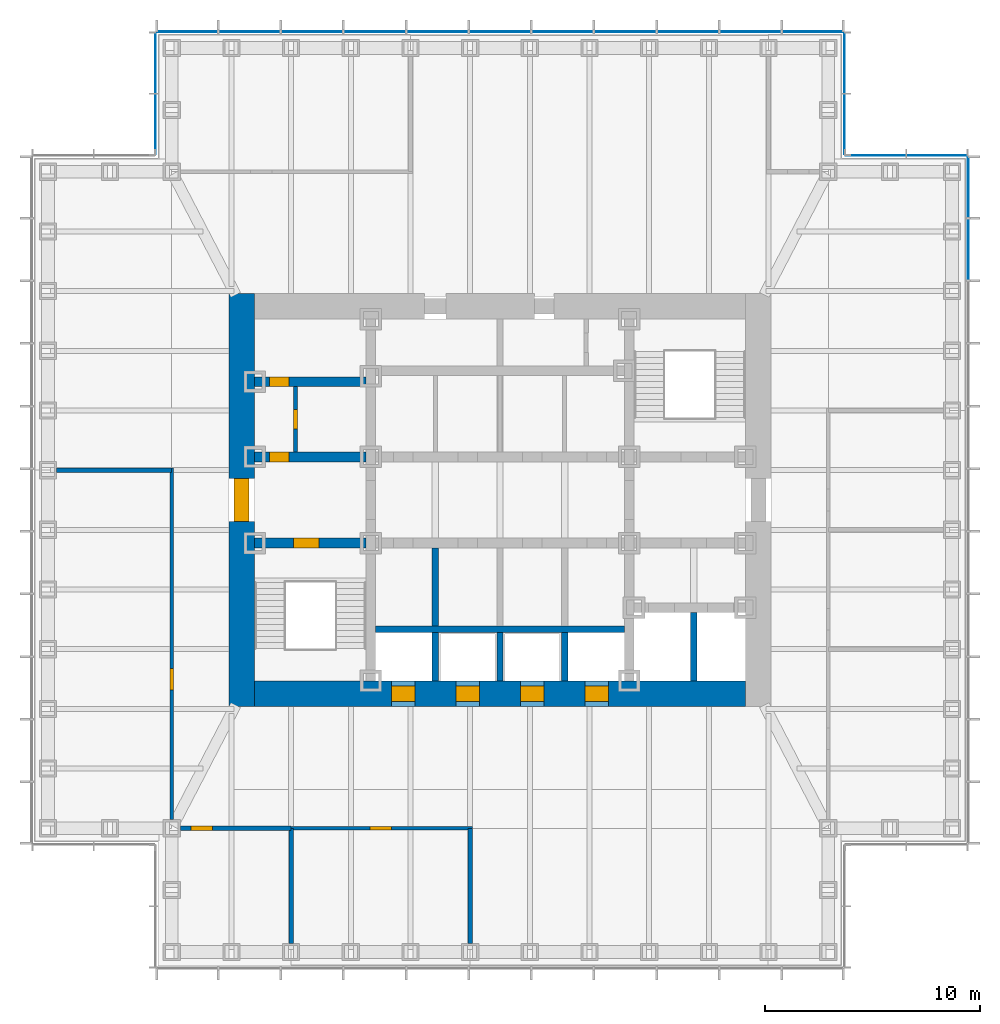
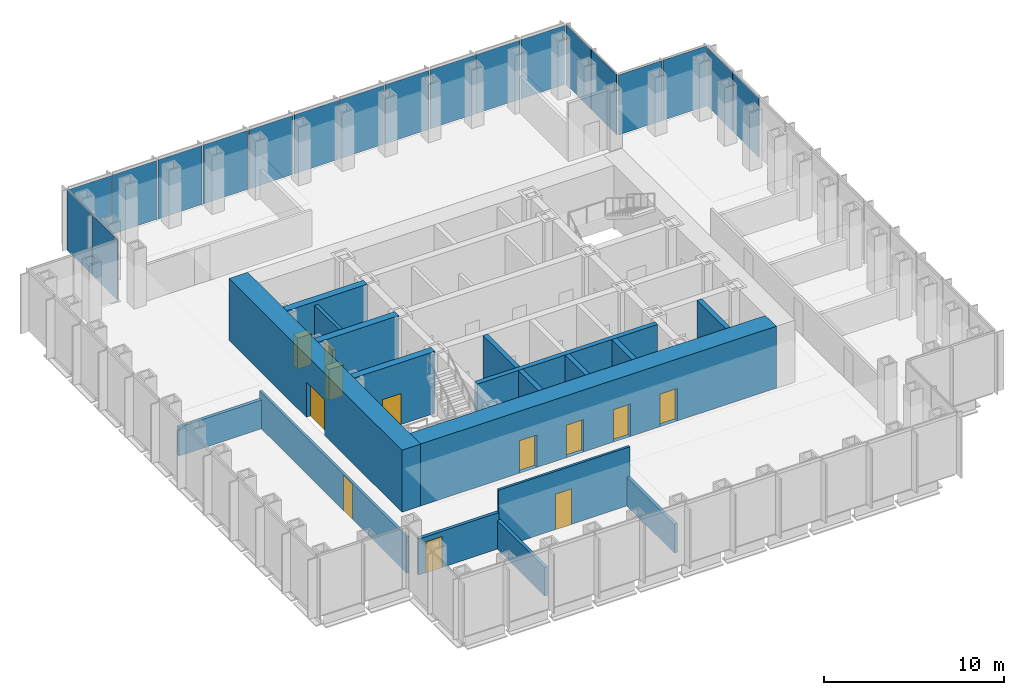
# One storey, part 8 of 16: 19 plates, 18 walls, 12 doors, 12 openings, 5 elements without a shape of their own.
"""IFC4 building model written with IfcOpenShell, lengths in metres."""

import ifcopenshell
import ifcopenshell.guid

model = None  # the IFC model being written
_history = None  # IfcOwnerHistory: only IFC2X3 demands one
_inside = {}  # id of a spatial element -> (the spatial element, [elements in it])
_under = {}  # id of a project, library or spatial element -> (it, [spatial elements below it])
_declared = {}  # id of a project -> (the project, [libraries it declares])
_typed = {}  # id of a type object -> (the type object, [elements of that type])
_made_of = {}  # id of a material, layer set ... -> (it, [elements and type objects made of it])


def new_model(schema):
    """Start an empty IFC model of exactly this schema.

    Asked for "IFC4X3", IfcOpenShell would pick the latest addendum, in which some entities
    have other attributes; the version numbers below select the first issue.
    IFC2X3 requires an IfcOwnerHistory on every rooted entity: one is made here for all.
    """
    global model, _history
    if schema == "IFC4X3":
        model = ifcopenshell.file(schema_version=(4, 3, 0, 0))
    else:
        model = ifcopenshell.file(schema=schema)
    _inside.clear()
    _under.clear()
    _declared.clear()
    _typed.clear()
    _made_of.clear()
    _history = None
    if model.schema == "IFC2X3":
        org = make("IfcOrganization", Name="unknown")
        user = make(
            "IfcPersonAndOrganization",
            ThePerson=make("IfcPerson", FamilyName="unknown"),
            TheOrganization=org,
        )
        app = make(
            "IfcApplication",
            ApplicationDeveloper=org,
            Version="unknown",
            ApplicationFullName="unknown",
            ApplicationIdentifier="unknown",
        )
        _history = make(
            "IfcOwnerHistory",
            OwningUser=user,
            OwningApplication=app,
            ChangeAction="ADDED",
            CreationDate=0,
        )
    return model


def make(cls, **values):
    """One entity of the class cls with the attributes given. An attribute that is None is left unset."""
    return model.create_entity(
        cls, **{name: value for name, value in values.items() if value is not None}
    )


def rooted(cls, **values):
    """An entity with a GlobalId (a new one), such as an element, a storey or a relation."""
    return make(cls, GlobalId=ifcopenshell.guid.new(), OwnerHistory=_history, **values)


def si_unit(unit_type, name, prefix=None):
    """IfcSIUnit, for example si_unit("LENGTHUNIT", "METRE", prefix="MILLI")."""
    return make("IfcSIUnit", UnitType=unit_type, Prefix=prefix, Name=name)


def assignment(units):
    """IfcUnitAssignment: the units of a project."""
    return None if units is None else make("IfcUnitAssignment", Units=units)


def point(xyz):
    """IfcCartesianPoint."""
    return None if xyz is None else make("IfcCartesianPoint", Coordinates=xyz)


def direction(xyz):
    """IfcDirection."""
    return None if xyz is None else make("IfcDirection", DirectionRatios=xyz)


def frame(location, z_axis=None, x_axis=None):
    """IfcAxis2Placement3D, a coordinate frame: its origin and axes. An axis left out is left unset."""
    return make(
        "IfcAxis2Placement3D",
        Location=point(location),
        Axis=direction(z_axis),
        RefDirection=direction(x_axis),
    )


def frame_2d(location, x_axis=None):
    """IfcAxis2Placement2D, a coordinate frame in the plane: its origin and x axis."""
    return make(
        "IfcAxis2Placement2D", Location=point(location), RefDirection=direction(x_axis)
    )


def origin():
    """The frame at (0, 0, 0) with its axes left unset."""
    return frame((0.0, 0.0, 0.0))


def origin_2d():
    """The frame at (0, 0) in the plane with its x axis left unset."""
    return frame_2d((0.0, 0.0))


def place(relative_to, where):
    """IfcLocalPlacement: puts the frame where relative to a parent placement (None: the world)."""
    return make(
        "IfcLocalPlacement", PlacementRelTo=relative_to, RelativePlacement=where
    )


def context(
    kind, dimensions, precision=None, world=None, true_north=None, identifier=None
):
    """IfcGeometricRepresentationContext, for example the 3D "Model" context."""
    return make(
        "IfcGeometricRepresentationContext",
        ContextIdentifier=identifier,
        ContextType=kind,
        CoordinateSpaceDimension=dimensions,
        Precision=precision,
        WorldCoordinateSystem=world,
        TrueNorth=true_north,
    )


def subcontext(parent, identifier, kind, view, scale=None):
    """IfcGeometricRepresentationSubContext, for example "Body" below "Model"."""
    return make(
        "IfcGeometricRepresentationSubContext",
        ContextIdentifier=identifier,
        ContextType=kind,
        ParentContext=parent,
        TargetScale=scale,
        TargetView=view,
    )


def project(units=None, contexts=None):
    """IfcProject with its units and contexts."""
    return rooted(
        "IfcProject",
        Name="project",
        RepresentationContexts=contexts,
        UnitsInContext=assignment(units),
    )


def spatial(cls, under=None, at=None, **own):
    """A site, building, storey or space (cls), placed at a placement, below another one or the project."""
    s = rooted(cls, ObjectPlacement=at, **own)
    if under is not None:
        _under.setdefault(under.id(), (under, []))[1].append(s)
    return s


def profile(cls, at=None, kind="AREA", **sizes):
    """A parametric profile (cls). Its sizes go by their IFC names, for example OverallWidth=200.0."""
    return make(cls, ProfileType=kind, Position=at, **sizes)


def rectangle(**sizes):
    """IfcRectangleProfileDef."""
    return profile("IfcRectangleProfileDef", **sizes)


def extrude(swept, where, along, depth):
    """IfcExtrudedAreaSolid: the profile swept, set in the frame where, extruded along a direction by depth."""
    return make(
        "IfcExtrudedAreaSolid",
        SweptArea=swept,
        Position=where,
        ExtrudedDirection=direction(along),
        Depth=depth,
    )


def shape(context_of_items, identifier, shape_type, items):
    """IfcShapeRepresentation: the items that make up one representation, for example the "Body"."""
    return make(
        "IfcShapeRepresentation",
        ContextOfItems=context_of_items,
        RepresentationIdentifier=identifier,
        RepresentationType=shape_type,
        Items=items,
    )


def material(Name=None, Category=None):
    """IfcMaterial."""
    return make("IfcMaterial", Name=Name, Category=Category)


def layer(
    of_material, thickness, ventilated=None, Name=None, Category=None, Priority=None
):
    """IfcMaterialLayer: one layer of a wall or slab, of a material (None: an air gap)."""
    return make(
        "IfcMaterialLayer",
        Material=of_material,
        LayerThickness=thickness,
        IsVentilated=ventilated,
        Name=Name,
        Category=Category,
        Priority=Priority,
    )


def layer_set(layers, Name=None):
    """IfcMaterialLayerSet."""
    return make("IfcMaterialLayerSet", MaterialLayers=layers, LayerSetName=Name)


def made_of(thing, what):
    """Note that an element or type object is made of a material, layer set ...; save() writes the relation."""
    if what is not None:
        _made_of.setdefault(what.id(), (what, []))[1].append(thing)
    return thing


def type_object(cls, material=None, **own):
    """A type object (cls), such as IfcWallType, which elements share."""
    return made_of(rooted(cls, **own), material)


def element(
    cls,
    number,
    at=None,
    inside=None,
    cuts=None,
    type_object=None,
    material=None,
    context=None,
    identifier="Body",
    shape_type=None,
    held_by="IfcProductDefinitionShape",
    body=None,
    shapes=None,
    **own,
):
    """One element of the class cls, such as IfcWall. Its Tag is "e" and its number.

    at: its placement. inside: the storey or other place that contains it. cuts: it is an
    opening in that element (IfcRelVoidsElement). A single representation is given by context,
    identifier, shape_type and body (its items); several are given by shapes. held_by: the class
    of the entity that holds the representations. save() writes the other relations.
    """
    e = rooted(cls, Tag="e%d" % number, ObjectPlacement=at, **own)
    if body is not None:
        shapes = [shape(context, identifier, shape_type, body)]
    if shapes is not None:
        e.Representation = make(held_by, Representations=shapes)
    if inside is not None:
        _inside.setdefault(inside.id(), (inside, []))[1].append(e)
    if cuts is not None:
        rooted(
            "IfcRelVoidsElement", RelatingBuildingElement=cuts, RelatedOpeningElement=e
        )
    if type_object is not None:
        _typed.setdefault(type_object.id(), (type_object, []))[1].append(e)
    return made_of(e, material)


def fill(opening, filler):
    """IfcRelFillsElement: the door or window that sits in an opening."""
    return rooted(
        "IfcRelFillsElement",
        RelatingOpeningElement=opening,
        RelatedBuildingElement=filler,
    )


def aggregate(whole, parts):
    """IfcRelAggregates: a whole, such as a stair, and the parts it consists of."""
    return rooted("IfcRelAggregates", RelatingObject=whole, RelatedObjects=parts)


def save(model, path):
    """Write the relations noted so far, then the file.

    IfcRelAggregates (storeys below a building ...), IfcRelContainedInSpatialStructure (elements
    in a storey), IfcRelDefinesByType, IfcRelAssociatesMaterial and IfcRelDeclares: one each for
    every whole, place, type object, material and project.
    """
    for whole, parts in _under.values():
        aggregate(whole, parts)
    for where, things in _inside.values():
        rooted(
            "IfcRelContainedInSpatialStructure",
            RelatedElements=things,
            RelatingStructure=where,
        )
    for kind, things in _typed.values():
        rooted("IfcRelDefinesByType", RelatedObjects=things, RelatingType=kind)
    for what, things in _made_of.values():
        rooted("IfcRelAssociatesMaterial", RelatedObjects=things, RelatingMaterial=what)
    for by, libraries in _declared.values():
        rooted("IfcRelDeclares", RelatingContext=by, RelatedDefinitions=libraries)
    model.write(path)


model = new_model("IFC4")

# Units and contexts
model_context = context("Model", 3, precision=1e-05, world=origin(), true_north=direction((0.0, 1.0)))
body_context = subcontext(model_context, "Body", "Model", "MODEL_VIEW")
ifc_project = project(units=[si_unit("LENGTHUNIT", "METRE"), si_unit("AREAUNIT", "SQUARE_METRE"), si_unit("VOLUMEUNIT", "CUBIC_METRE"), si_unit("PLANEANGLEUNIT", "RADIAN"), si_unit("MASSUNIT", "GRAM", prefix="KILO")], contexts=[model_context])

# Site, building, storey
site_placement = place(None, origin())
site = spatial("IfcSite", under=ifc_project, at=site_placement, CompositionType="ELEMENT")
building_placement = place(site_placement, origin())
building = spatial("IfcBuilding", under=site, at=building_placement, Name="Daluyong Arena Tower", CompositionType="ELEMENT")
storey_placement = place(building_placement, frame((0.0, 0.0, 275.5)))
storey = spatial("IfcBuildingStorey", under=building, at=storey_placement, Name="L62", CompositionType="ELEMENT", Elevation=275.5)

# Curtain wall, plates
ifc_material_1 = material(Name="Bronze anodised aluminium and glass", Category="aluminium")
curtain_wall_type_1 = type_object("IfcCurtainWallType", Name="Curtain wall CW4", PredefinedType="USERDEFINED", material=ifc_material_1)
curtain_wall_1_placement = place(storey_placement, origin())
curtain_wall_1 = element("IfcCurtainWall", 1, at=curtain_wall_1_placement, inside=storey, type_object=curtain_wall_type_1, Name="curtain wall L62 E", ObjectType="UNITISED CURTAIN WALL", PredefinedType="USERDEFINED")
ifc_material_2 = material(Name="Tinted laminated double glazed unit", Category="glass")
ifc_layer_1 = layer(ifc_material_2, 0.035888671875)
ifc_layer_set_1 = layer_set([ifc_layer_1], Name="Tinted laminated double glazed unit")
plate_type_1 = type_object("IfcPlateType", Name="CW4 panel 36", PredefinedType="CURTAIN_PANEL", material=ifc_layer_set_1)
plate_1_placement = place(storey_placement, frame((77.75, 91.636474609375, 0.0), z_axis=(0.0, 0.0, 1.0), x_axis=(0.0, 1.0, 0.0)))
plate_1 = element("IfcPlate", 2, at=plate_1_placement, type_object=plate_type_1, Name="curtain wall L62 E panel 10", PredefinedType="CURTAIN_PANEL", context=body_context, shape_type="SweptSolid", body=[
    extrude(rectangle(XDim=2.819091796875, YDim=0.035888671875, at=origin_2d()), origin(), (0.0, 0.0, 1.0), 4.0),
])
plate_2_placement = place(storey_placement, frame((77.75, 94.52294921875, 0.0), z_axis=(0.0, 0.0, 1.0), x_axis=(0.0, 1.0, 0.0)))
plate_2 = element("IfcPlate", 3, at=plate_2_placement, type_object=plate_type_1, Name="curtain wall L62 E panel 11", PredefinedType="CURTAIN_PANEL", context=body_context, shape_type="SweptSolid", body=[
    extrude(rectangle(XDim=2.774169921875, YDim=0.035888671875, at=origin_2d()), origin(), (0.0, 0.0, 1.0), 4.0),
])
aggregate(curtain_wall_1, [plate_1, plate_2])

curtain_wall_2_placement = place(storey_placement, origin())
curtain_wall_2 = element("IfcCurtainWall", 4, at=curtain_wall_2_placement, inside=storey, type_object=curtain_wall_type_1, Name="curtain wall L62 N", ObjectType="UNITISED CURTAIN WALL", PredefinedType="USERDEFINED")
plate_3_placement = place(storey_placement, frame((70.52294921875, 101.75, 0.0), z_axis=(0.0, 0.0, 1.0), x_axis=(-1.0, 0.0, 0.0)))
plate_3 = element("IfcPlate", 5, at=plate_3_placement, type_object=plate_type_1, Name="curtain wall L62 N panel 1", PredefinedType="CURTAIN_PANEL", context=body_context, shape_type="SweptSolid", body=[
    extrude(rectangle(XDim=2.774169921875, YDim=0.035888671875, at=origin_2d()), origin(), (0.0, 0.0, 1.0), 4.0),
])
plate_4_placement = place(storey_placement, frame((67.636474609375, 101.75, 0.0), z_axis=(0.0, 0.0, 1.0), x_axis=(-1.0, 0.0, 0.0)))
plate_4 = element("IfcPlate", 6, at=plate_4_placement, type_object=plate_type_1, Name="curtain wall L62 N panel 2", PredefinedType="CURTAIN_PANEL", context=body_context, shape_type="SweptSolid", body=[
    extrude(rectangle(XDim=2.819091796875, YDim=0.035888671875, at=origin_2d()), origin(), (0.0, 0.0, 1.0), 4.0),
])
plate_5_placement = place(storey_placement, frame((64.727294921875, 101.75, 0.0), z_axis=(0.0, 0.0, 1.0), x_axis=(-1.0, 0.0, 0.0)))
plate_5 = element("IfcPlate", 7, at=plate_5_placement, type_object=plate_type_1, Name="curtain wall L62 N panel 3", PredefinedType="CURTAIN_PANEL", context=body_context, shape_type="SweptSolid", body=[
    extrude(rectangle(XDim=2.819091796875, YDim=0.035888671875, at=origin_2d()), origin(), (0.0, 0.0, 1.0), 4.0),
])
plate_6_placement = place(storey_placement, frame((61.818115234375, 101.75, 0.0), z_axis=(0.0, 0.0, 1.0), x_axis=(-1.0, 0.0, 0.0)))
plate_6 = element("IfcPlate", 8, at=plate_6_placement, type_object=plate_type_1, Name="curtain wall L62 N panel 4", PredefinedType="CURTAIN_PANEL", context=body_context, shape_type="SweptSolid", body=[
    extrude(rectangle(XDim=2.819091796875, YDim=0.035888671875, at=origin_2d()), origin(), (0.0, 0.0, 1.0), 4.0),
])
plate_7_placement = place(storey_placement, frame((58.9091796875, 101.75, 0.0), z_axis=(0.0, 0.0, 1.0), x_axis=(-1.0, 0.0, 0.0)))
plate_7 = element("IfcPlate", 9, at=plate_7_placement, type_object=plate_type_1, Name="curtain wall L62 N panel 5", PredefinedType="CURTAIN_PANEL", context=body_context, shape_type="SweptSolid", body=[
    extrude(rectangle(XDim=2.819091796875, YDim=0.035888671875, at=origin_2d()), origin(), (0.0, 0.0, 1.0), 4.0),
])
plate_8_placement = place(storey_placement, frame((56.0, 101.75, 0.0), z_axis=(0.0, 0.0, 1.0), x_axis=(-1.0, 0.0, 0.0)))
plate_8 = element("IfcPlate", 10, at=plate_8_placement, type_object=plate_type_1, Name="curtain wall L62 N panel 6", PredefinedType="CURTAIN_PANEL", context=body_context, shape_type="SweptSolid", body=[
    extrude(rectangle(XDim=2.819091796875, YDim=0.035888671875, at=origin_2d()), origin(), (0.0, 0.0, 1.0), 4.0),
])
plate_9_placement = place(storey_placement, frame((53.0908203125, 101.75, 0.0), z_axis=(0.0, 0.0, 1.0), x_axis=(-1.0, 0.0, 0.0)))
plate_9 = element("IfcPlate", 11, at=plate_9_placement, type_object=plate_type_1, Name="curtain wall L62 N panel 7", PredefinedType="CURTAIN_PANEL", context=body_context, shape_type="SweptSolid", body=[
    extrude(rectangle(XDim=2.819091796875, YDim=0.035888671875, at=origin_2d()), origin(), (0.0, 0.0, 1.0), 4.0),
])
plate_10_placement = place(storey_placement, frame((50.181884765625, 101.75, 0.0), z_axis=(0.0, 0.0, 1.0), x_axis=(-1.0, 0.0, 0.0)))
plate_10 = element("IfcPlate", 12, at=plate_10_placement, type_object=plate_type_1, Name="curtain wall L62 N panel 8", PredefinedType="CURTAIN_PANEL", context=body_context, shape_type="SweptSolid", body=[
    extrude(rectangle(XDim=2.819091796875, YDim=0.035888671875, at=origin_2d()), origin(), (0.0, 0.0, 1.0), 4.0),
])
plate_11_placement = place(storey_placement, frame((47.272705078125, 101.75, 0.0), z_axis=(0.0, 0.0, 1.0), x_axis=(-1.0, 0.0, 0.0)))
plate_11 = element("IfcPlate", 13, at=plate_11_placement, type_object=plate_type_1, Name="curtain wall L62 N panel 9", PredefinedType="CURTAIN_PANEL", context=body_context, shape_type="SweptSolid", body=[
    extrude(rectangle(XDim=2.819091796875, YDim=0.035888671875, at=origin_2d()), origin(), (0.0, 0.0, 1.0), 4.0),
])
plate_12_placement = place(storey_placement, frame((44.363525390625, 101.75, 0.0), z_axis=(0.0, 0.0, 1.0), x_axis=(-1.0, 0.0, 0.0)))
plate_12 = element("IfcPlate", 14, at=plate_12_placement, type_object=plate_type_1, Name="curtain wall L62 N panel 10", PredefinedType="CURTAIN_PANEL", context=body_context, shape_type="SweptSolid", body=[
    extrude(rectangle(XDim=2.819091796875, YDim=0.035888671875, at=origin_2d()), origin(), (0.0, 0.0, 1.0), 4.0),
])
plate_13_placement = place(storey_placement, frame((41.47705078125, 101.75, 0.0), z_axis=(0.0, 0.0, 1.0), x_axis=(-1.0, 0.0, 0.0)))
plate_13 = element("IfcPlate", 15, at=plate_13_placement, type_object=plate_type_1, Name="curtain wall L62 N panel 11", PredefinedType="CURTAIN_PANEL", context=body_context, shape_type="SweptSolid", body=[
    extrude(rectangle(XDim=2.774169921875, YDim=0.035888671875, at=origin_2d()), origin(), (0.0, 0.0, 1.0), 4.0),
])
aggregate(curtain_wall_2, [plate_3, plate_4, plate_5, plate_6, plate_7, plate_8, plate_9, plate_10, plate_11, plate_12, plate_13])

ifc_material_3 = material(Name="Bronze anodised aluminium and glass", Category="aluminium")
curtain_wall_type_2 = type_object("IfcCurtainWallType", Name="Curtain wall CW7", PredefinedType="USERDEFINED", material=ifc_material_3)
curtain_wall_3_placement = place(storey_placement, origin())
curtain_wall_3 = element("IfcCurtainWall", 16, at=curtain_wall_3_placement, inside=storey, type_object=curtain_wall_type_2, Name="curtain wall L62 NE-N", ObjectType="UNITISED CURTAIN WALL", PredefinedType="USERDEFINED")
ifc_material_4 = material(Name="Tinted double glazed unit", Category="glass")
ifc_layer_2 = layer(ifc_material_4, 0.028076171875)
ifc_layer_set_2 = layer_set([ifc_layer_2], Name="Tinted double glazed unit")
plate_type_2 = type_object("IfcPlateType", Name="CW7 panel 28", PredefinedType="CURTAIN_PANEL", material=ifc_layer_set_2)
plate_14_placement = place(storey_placement, frame((76.297607421875, 96.0, 0.0), z_axis=(0.0, 0.0, 1.0), x_axis=(-1.0, 0.0, 0.0)))
plate_14 = element("IfcPlate", 17, at=plate_14_placement, type_object=plate_type_2, Name="curtain wall L62 NE-N panel 1", PredefinedType="CURTAIN_PANEL", context=body_context, shape_type="SweptSolid", body=[
    extrude(rectangle(XDim=2.784912109375, YDim=0.028076171875, at=origin_2d()), origin(), (0.0, 0.0, 1.0), 4.080078125),
])
plate_15_placement = place(storey_placement, frame((73.452392578125, 96.0, 0.0), z_axis=(0.0, 0.0, 1.0), x_axis=(-1.0, 0.0, 0.0)))
plate_15 = element("IfcPlate", 18, at=plate_15_placement, type_object=plate_type_2, Name="curtain wall L62 NE-N panel 2", PredefinedType="CURTAIN_PANEL", context=body_context, shape_type="SweptSolid", body=[
    extrude(rectangle(XDim=2.784912109375, YDim=0.028076171875, at=origin_2d()), origin(), (0.0, 0.0, 1.0), 4.080078125),
])
aggregate(curtain_wall_3, [plate_14, plate_15])

curtain_wall_4_placement = place(storey_placement, origin())
curtain_wall_4 = element("IfcCurtainWall", 19, at=curtain_wall_4_placement, inside=storey, type_object=curtain_wall_type_2, Name="curtain wall L62 NE-E", ObjectType="UNITISED CURTAIN WALL", PredefinedType="USERDEFINED")
plate_16_placement = place(storey_placement, frame((72.0, 97.452392578125, 0.0), z_axis=(0.0, 0.0, 1.0), x_axis=(0.0, 1.0, 0.0)))
plate_16 = element("IfcPlate", 20, at=plate_16_placement, type_object=plate_type_2, Name="curtain wall L62 NE-E panel 1", PredefinedType="CURTAIN_PANEL", context=body_context, shape_type="SweptSolid", body=[
    extrude(rectangle(XDim=2.784912109375, YDim=0.028076171875, at=origin_2d()), origin(), (0.0, 0.0, 1.0), 4.080078125),
])
plate_17_placement = place(storey_placement, frame((72.0, 100.297607421875, 0.0), z_axis=(0.0, 0.0, 1.0), x_axis=(0.0, 1.0, 0.0)))
plate_17 = element("IfcPlate", 21, at=plate_17_placement, type_object=plate_type_2, Name="curtain wall L62 NE-E panel 2", PredefinedType="CURTAIN_PANEL", context=body_context, shape_type="SweptSolid", body=[
    extrude(rectangle(XDim=2.784912109375, YDim=0.028076171875, at=origin_2d()), origin(), (0.0, 0.0, 1.0), 4.080078125),
])
aggregate(curtain_wall_4, [plate_16, plate_17])

curtain_wall_5_placement = place(storey_placement, origin())
curtain_wall_5 = element("IfcCurtainWall", 22, at=curtain_wall_5_placement, inside=storey, type_object=curtain_wall_type_2, Name="curtain wall L62 NW-W", ObjectType="UNITISED CURTAIN WALL", PredefinedType="USERDEFINED")
plate_18_placement = place(storey_placement, frame((40.0, 100.297607421875, 0.0), z_axis=(0.0, 0.0, 1.0), x_axis=(0.0, -1.0, 0.0)))
plate_18 = element("IfcPlate", 23, at=plate_18_placement, type_object=plate_type_2, Name="curtain wall L62 NW-W panel 1", PredefinedType="CURTAIN_PANEL", context=body_context, shape_type="SweptSolid", body=[
    extrude(rectangle(XDim=2.784912109375, YDim=0.028076171875, at=origin_2d()), origin(), (0.0, 0.0, 1.0), 4.080078125),
])
plate_19_placement = place(storey_placement, frame((40.0, 97.452392578125, 0.0), z_axis=(0.0, 0.0, 1.0), x_axis=(0.0, -1.0, 0.0)))
plate_19 = element("IfcPlate", 24, at=plate_19_placement, type_object=plate_type_2, Name="curtain wall L62 NW-W panel 2", PredefinedType="CURTAIN_PANEL", context=body_context, shape_type="SweptSolid", body=[
    extrude(rectangle(XDim=2.784912109375, YDim=0.028076171875, at=origin_2d()), origin(), (0.0, 0.0, 1.0), 4.080078125),
])
aggregate(curtain_wall_5, [plate_18, plate_19])

# Wall, opening, door
ifc_material_5 = material(Name="Concrete fc' 45 MPa", Category="concrete")
ifc_layer_3 = layer(ifc_material_5, 0.449951171875)
ifc_layer_set_3 = layer_set([ifc_layer_3], Name="Concrete fc' 45 MPa")
wall_type_1 = type_object("IfcWallType", Name="Core inner wall 450", PredefinedType="SHEAR", material=ifc_layer_set_3)
wall_1_placement = place(storey_placement, frame((44.60009765625, 78.0, 0.0), z_axis=(0.0, 0.0, 1.0), x_axis=(1.0, 0.0, 0.0)))
wall_1 = element("IfcWall", 25, at=wall_1_placement, inside=storey, type_object=wall_type_1, Name="core inner wall at L62", PredefinedType="SHEAR", context=body_context, shape_type="SweptSolid", body=[
    extrude(rectangle(XDim=5.1748046875, YDim=0.449951171875, at=frame_2d((2.58740234375, 0.0))), origin(), (0.0, 0.0, 1.0), 4.199951171875),
])
opening_1_placement = place(wall_1_placement, frame((1.800048828125, 0.0, 0.0)))
opening_1 = element("IfcOpeningElement", 26, at=opening_1_placement, cuts=wall_1, Name="Opening 62015", PredefinedType="OPENING", context=body_context, shape_type="SweptSolid", body=[
    extrude(rectangle(XDim=1.199951171875, YDim=2.10009765625, at=frame_2d((0.60009765625, 1.050048828125))), frame((0.0, 0.23486328125, 0.0), z_axis=(0.0, -1.0, 0.0), x_axis=(1.0, 0.0, 0.0)), (0.0, 0.0, 1.0), 0.469970703125),
])
ifc_material_6 = material(Name="Steel door, fire rated", Category="steel")
door_type_1 = type_object("IfcDoorType", Name="Stair door 1200", OperationType="SINGLE_SWING_LEFT", PredefinedType="DOOR", material=ifc_material_6)
door_1_placement = place(opening_1_placement, origin())
door_1 = element("IfcDoor", 27, at=door_1_placement, inside=storey, type_object=door_type_1, Name="stair A door 62015", OperationType="SINGLE_SWING_LEFT", OverallHeight=2.10009765625, OverallWidth=1.199951171875, PredefinedType="DOOR", context=body_context, shape_type="SweptSolid", body=[
    extrude(rectangle(XDim=1.199951171875, YDim=2.10009765625, at=frame_2d((0.60009765625, 1.050048828125))), frame((0.0, 0.224609375, 0.0), z_axis=(0.0, -1.0, 0.0), x_axis=(1.0, 0.0, 0.0)), (0.0, 0.0, 1.0), 0.449462890625),
])
fill(opening_1, door_1)

wall_2_placement = place(storey_placement, frame((44.60009765625, 82.0, 0.0), z_axis=(0.0, 0.0, 1.0), x_axis=(1.0, 0.0, 0.0)))
wall_2 = element("IfcWall", 28, at=wall_2_placement, inside=storey, type_object=wall_type_1, Name="core inner wall at L62", PredefinedType="SHEAR", context=body_context, shape_type="SweptSolid", body=[
    extrude(rectangle(XDim=5.1748046875, YDim=0.449951171875, at=frame_2d((2.58740234375, 0.0))), origin(), (0.0, 0.0, 1.0), 4.199951171875),
])
opening_2_placement = place(wall_2_placement, frame((0.699951171875, 0.0, 0.0)))
opening_2 = element("IfcOpeningElement", 29, at=opening_2_placement, cuts=wall_2, Name="Opening 62001", PredefinedType="OPENING", context=body_context, shape_type="SweptSolid", body=[
    extrude(rectangle(XDim=0.89990234375, YDim=2.10009765625, at=frame_2d((0.449951171875, 1.050048828125))), frame((0.0, 0.23486328125, 0.0), z_axis=(0.0, -1.0, 0.0), x_axis=(1.0, 0.0, 0.0)), (0.0, 0.0, 1.0), 0.469970703125),
])
ifc_material_7 = material(Name="Steel door, fire rated", Category="steel")
door_type_2 = type_object("IfcDoorType", Name="Core room door 900", OperationType="SINGLE_SWING_LEFT", PredefinedType="DOOR", material=ifc_material_7)
door_2_placement = place(opening_2_placement, origin())
door_2 = element("IfcDoor", 30, at=door_2_placement, inside=storey, type_object=door_type_2, Name="toilet lobby door 62001", OperationType="SINGLE_SWING_LEFT", OverallHeight=2.10009765625, OverallWidth=0.89990234375, PredefinedType="DOOR", context=body_context, shape_type="SweptSolid", body=[
    extrude(rectangle(XDim=0.89990234375, YDim=2.10009765625, at=frame_2d((0.449951171875, 1.050048828125))), frame((0.0, 0.224609375, 0.0), z_axis=(0.0, -1.0, 0.0), x_axis=(1.0, 0.0, 0.0)), (0.0, 0.0, 1.0), 0.449462890625),
])
fill(opening_2, door_2)

wall_3_placement = place(storey_placement, frame((44.60009765625, 85.5, 0.0), z_axis=(0.0, 0.0, 1.0), x_axis=(1.0, 0.0, 0.0)))
wall_3 = element("IfcWall", 31, at=wall_3_placement, inside=storey, type_object=wall_type_1, Name="core inner wall at L62", PredefinedType="SHEAR", context=body_context, shape_type="SweptSolid", body=[
    extrude(rectangle(XDim=5.1748046875, YDim=0.449951171875, at=frame_2d((2.58740234375, 0.0))), origin(), (0.0, 0.0, 1.0), 4.199951171875),
])
opening_3_placement = place(wall_3_placement, frame((0.699951171875, 0.0, 0.0)))
opening_3 = element("IfcOpeningElement", 32, at=opening_3_placement, cuts=wall_3, Name="Opening 62003", PredefinedType="OPENING", context=body_context, shape_type="SweptSolid", body=[
    extrude(rectangle(XDim=0.89990234375, YDim=2.10009765625, at=frame_2d((0.449951171875, 1.050048828125))), frame((0.0, 0.23486328125, 0.0), z_axis=(0.0, -1.0, 0.0), x_axis=(1.0, 0.0, 0.0)), (0.0, 0.0, 1.0), 0.469970703125),
])
ifc_material_8 = material(Name="Timber door", Category="wood")
door_type_3 = type_object("IfcDoorType", Name="Toilet door 900", OperationType="SINGLE_SWING_RIGHT", PredefinedType="DOOR", material=ifc_material_8)
door_3_placement = place(opening_3_placement, origin())
door_3 = element("IfcDoor", 33, at=door_3_placement, inside=storey, type_object=door_type_3, Name="female toilet door 62003", OperationType="SINGLE_SWING_RIGHT", OverallHeight=2.10009765625, OverallWidth=0.89990234375, PredefinedType="DOOR", context=body_context, shape_type="SweptSolid", body=[
    extrude(rectangle(XDim=0.89990234375, YDim=2.10009765625, at=frame_2d((0.449951171875, 1.050048828125))), frame((0.0, 0.224609375, 0.0), z_axis=(0.0, -1.0, 0.0), x_axis=(1.0, 0.0, 0.0)), (0.0, 0.0, 1.0), 0.449462890625),
])
fill(opening_3, door_3)

ifc_material_9 = material(Name="Concrete fc' 60 MPa", Category="concrete")
ifc_layer_4 = layer(ifc_material_9, 1.199951171875)
ifc_layer_set_4 = layer_set([ifc_layer_4], Name="Concrete fc' 60 MPa")
wall_type_2 = type_object("IfcWallType", Name="Core wall 1200", PredefinedType="SHEAR", material=ifc_layer_set_4)
wall_4_placement = place(storey_placement, frame((44.0, 70.39990234375, 0.0), z_axis=(0.0, 0.0, 1.0), x_axis=(0.0, 1.0, 0.0)))
wall_4 = element("IfcWall", 34, at=wall_4_placement, inside=storey, type_object=wall_type_2, Name="core wall at L62", PredefinedType="SHEAR", context=body_context, shape_type="SweptSolid", body=[
    extrude(rectangle(XDim=19.2001953125, YDim=1.199951171875, at=frame_2d((9.60009765625, 0.0))), origin(), (0.0, 0.0, 1.0), 4.199951171875),
])
opening_4_placement = place(wall_4_placement, frame((8.60009765625, 0.0, 0.0)))
opening_4 = element("IfcOpeningElement", 35, at=opening_4_placement, cuts=wall_4, Name="Opening 62017", PredefinedType="OPENING", context=body_context, shape_type="SweptSolid", body=[
    extrude(rectangle(XDim=2.0, YDim=2.39990234375, at=frame_2d((1.0, 1.199951171875))), frame((0.0, 0.60986328125, 0.0), z_axis=(0.0, -1.0, 0.0), x_axis=(1.0, 0.0, 0.0)), (0.0, 0.0, 1.0), 1.219970703125),
])
ifc_material_10 = material(Name="Steel door, fire rated", Category="steel")
door_type_4 = type_object("IfcDoorType", Name="Core lobby double door 2000", OperationType="DOUBLE_DOOR_SINGLE_SWING", PredefinedType="DOOR", material=ifc_material_10)
door_4_placement = place(opening_4_placement, origin())
door_4 = element("IfcDoor", 36, at=door_4_placement, inside=storey, type_object=door_type_4, Name="core lobby door west 62017", OperationType="DOUBLE_DOOR_SINGLE_SWING", OverallHeight=2.39990234375, OverallWidth=2.0, PredefinedType="DOOR", context=body_context, shape_type="SweptSolid", body=[
    extrude(rectangle(XDim=2.0, YDim=2.39990234375, at=frame_2d((1.0, 1.199951171875))), frame((0.0, 0.35009765625, 0.0), z_axis=(0.0, -1.0, 0.0), x_axis=(1.0, 0.0, 0.0)), (0.0, 0.0, 1.0), 0.699951171875),
])
fill(opening_4, door_4)

# Wall, openings, doors
wall_5_placement = place(storey_placement, frame((44.60009765625, 71.0, 0.0), z_axis=(0.0, 0.0, 1.0), x_axis=(1.0, 0.0, 0.0)))
wall_5 = element("IfcWall", 37, at=wall_5_placement, inside=storey, type_object=wall_type_2, Name="core wall at L62", PredefinedType="SHEAR", context=body_context, shape_type="SweptSolid", body=[
    extrude(rectangle(XDim=22.7998046875, YDim=1.199951171875, at=frame_2d((11.39990234375, 0.0))), origin(), (0.0, 0.0, 1.0), 4.199951171875),
])
opening_5_placement = place(wall_5_placement, frame((6.35009765625, 0.0, 0.0)))
opening_5 = element("IfcOpeningElement", 38, at=opening_5_placement, cuts=wall_5, Name="Opening 62022", PredefinedType="OPENING", context=body_context, shape_type="SweptSolid", body=[
    extrude(rectangle(XDim=1.10009765625, YDim=2.199951171875, at=frame_2d((0.550048828125, 1.10009765625))), frame((0.0, 0.60986328125, 0.0), z_axis=(0.0, -1.0, 0.0), x_axis=(1.0, 0.0, 0.0)), (0.0, 0.0, 1.0), 1.219970703125),
])
opening_6_placement = place(wall_5_placement, frame((9.35009765625, 0.0, 0.0)))
opening_6 = element("IfcOpeningElement", 39, at=opening_6_placement, cuts=wall_5, Name="Opening 62023", PredefinedType="OPENING", context=body_context, shape_type="SweptSolid", body=[
    extrude(rectangle(XDim=1.10009765625, YDim=2.199951171875, at=frame_2d((0.550048828125, 1.10009765625))), frame((0.0, 0.60986328125, 0.0), z_axis=(0.0, -1.0, 0.0), x_axis=(1.0, 0.0, 0.0)), (0.0, 0.0, 1.0), 1.219970703125),
])
opening_7_placement = place(wall_5_placement, frame((12.35009765625, 0.0, 0.0)))
opening_7 = element("IfcOpeningElement", 40, at=opening_7_placement, cuts=wall_5, Name="Opening 62024", PredefinedType="OPENING", context=body_context, shape_type="SweptSolid", body=[
    extrude(rectangle(XDim=1.10009765625, YDim=2.199951171875, at=frame_2d((0.550048828125, 1.10009765625))), frame((0.0, 0.60986328125, 0.0), z_axis=(0.0, -1.0, 0.0), x_axis=(1.0, 0.0, 0.0)), (0.0, 0.0, 1.0), 1.219970703125),
])
opening_8_placement = place(wall_5_placement, frame((15.35009765625, 0.0, 0.0)))
opening_8 = element("IfcOpeningElement", 41, at=opening_8_placement, cuts=wall_5, Name="Opening 62025", PredefinedType="OPENING", context=body_context, shape_type="SweptSolid", body=[
    extrude(rectangle(XDim=1.10009765625, YDim=2.199951171875, at=frame_2d((0.550048828125, 1.10009765625))), frame((0.0, 0.60986328125, 0.0), z_axis=(0.0, -1.0, 0.0), x_axis=(1.0, 0.0, 0.0)), (0.0, 0.0, 1.0), 1.219970703125),
])
ifc_material_11 = material(Name="Steel door, fire rated", Category="steel")
door_type_5 = type_object("IfcDoorType", Name="Lift landing door 1100", OperationType="SLIDING_TO_LEFT", PredefinedType="DOOR", material=ifc_material_11)
door_5_placement = place(opening_5_placement, origin())
door_5 = element("IfcDoor", 42, at=door_5_placement, inside=storey, type_object=door_type_5, Name="lift landing door C1 62022", OperationType="SLIDING_TO_LEFT", OverallHeight=2.199951171875, OverallWidth=1.10009765625, PredefinedType="DOOR", context=body_context, shape_type="SweptSolid", body=[
    extrude(rectangle(XDim=1.10009765625, YDim=2.199951171875, at=frame_2d((0.550048828125, 1.10009765625))), frame((0.0, 0.35009765625, 0.0), z_axis=(0.0, -1.0, 0.0), x_axis=(1.0, 0.0, 0.0)), (0.0, 0.0, 1.0), 0.699951171875),
])
fill(opening_5, door_5)
door_6_placement = place(opening_6_placement, origin())
door_6 = element("IfcDoor", 43, at=door_6_placement, inside=storey, type_object=door_type_5, Name="lift landing door C2 62023", OperationType="SLIDING_TO_LEFT", OverallHeight=2.199951171875, OverallWidth=1.10009765625, PredefinedType="DOOR", context=body_context, shape_type="SweptSolid", body=[
    extrude(rectangle(XDim=1.10009765625, YDim=2.199951171875, at=frame_2d((0.550048828125, 1.10009765625))), frame((0.0, 0.35009765625, 0.0), z_axis=(0.0, -1.0, 0.0), x_axis=(1.0, 0.0, 0.0)), (0.0, 0.0, 1.0), 0.699951171875),
])
fill(opening_6, door_6)
door_7_placement = place(opening_7_placement, origin())
door_7 = element("IfcDoor", 44, at=door_7_placement, inside=storey, type_object=door_type_5, Name="lift landing door C3 62024", OperationType="SLIDING_TO_LEFT", OverallHeight=2.199951171875, OverallWidth=1.10009765625, PredefinedType="DOOR", context=body_context, shape_type="SweptSolid", body=[
    extrude(rectangle(XDim=1.10009765625, YDim=2.199951171875, at=frame_2d((0.550048828125, 1.10009765625))), frame((0.0, 0.35009765625, 0.0), z_axis=(0.0, -1.0, 0.0), x_axis=(1.0, 0.0, 0.0)), (0.0, 0.0, 1.0), 0.699951171875),
])
fill(opening_7, door_7)
door_8_placement = place(opening_8_placement, origin())
door_8 = element("IfcDoor", 45, at=door_8_placement, inside=storey, type_object=door_type_5, Name="lift landing door C4 62025", OperationType="SLIDING_TO_LEFT", OverallHeight=2.199951171875, OverallWidth=1.10009765625, PredefinedType="DOOR", context=body_context, shape_type="SweptSolid", body=[
    extrude(rectangle(XDim=1.10009765625, YDim=2.199951171875, at=frame_2d((0.550048828125, 1.10009765625))), frame((0.0, 0.35009765625, 0.0), z_axis=(0.0, -1.0, 0.0), x_axis=(1.0, 0.0, 0.0)), (0.0, 0.0, 1.0), 0.699951171875),
])
fill(opening_8, door_8)

# Wall, opening, door
ifc_material_12 = material(Name="Concrete block partition, fire rated", Category="concrete")
ifc_layer_5 = layer(ifc_material_12, 0.199951171875)
ifc_layer_set_5 = layer_set([ifc_layer_5], Name="Concrete block partition, fire rated")
wall_type_3 = type_object("IfcWallType", Name="Fire-rated partition 200", PredefinedType="PARTITIONING", material=ifc_layer_set_5)
wall_6_placement = place(storey_placement, frame((46.5, 82.22509765625, 0.0), z_axis=(0.0, 0.0, 1.0), x_axis=(0.0, 1.0, 0.0)))
wall_6 = element("IfcWall", 46, at=wall_6_placement, inside=storey, type_object=wall_type_3, Name="toilet lobby partition at L62", PredefinedType="PARTITIONING", context=body_context, shape_type="SweptSolid", body=[
    extrude(rectangle(XDim=3.0498046875, YDim=0.199951171875, at=frame_2d((1.52490234375, 0.0))), origin(), (0.0, 0.0, 1.0), 3.949951171875),
])
opening_9_placement = place(wall_6_placement, frame((1.074951171875, 0.0, 0.0)))
opening_9 = element("IfcOpeningElement", 47, at=opening_9_placement, cuts=wall_6, Name="Opening 62002", PredefinedType="OPENING", context=body_context, shape_type="SweptSolid", body=[
    extrude(rectangle(XDim=0.89990234375, YDim=2.10009765625, at=frame_2d((0.449951171875, 1.050048828125))), frame((0.0, 0.10986328125, 0.0), z_axis=(0.0, -1.0, 0.0), x_axis=(1.0, 0.0, 0.0)), (0.0, 0.0, 1.0), 0.219970703125),
])
door_9_placement = place(opening_9_placement, origin())
door_9 = element("IfcDoor", 48, at=door_9_placement, inside=storey, type_object=door_type_3, Name="male toilet door 62002", OperationType="SINGLE_SWING_RIGHT", OverallHeight=2.10009765625, OverallWidth=0.89990234375, PredefinedType="DOOR", context=body_context, shape_type="SweptSolid", body=[
    extrude(rectangle(XDim=0.89990234375, YDim=2.10009765625, at=frame_2d((0.449951171875, 1.050048828125))), frame((0.0, 0.099609375, 0.0), z_axis=(0.0, -1.0, 0.0), x_axis=(1.0, 0.0, 0.0)), (0.0, 0.0, 1.0), 0.199462890625),
])
fill(opening_9, door_9)

ifc_material_13 = material(Name="Glazed aluminium partition", Category="aluminium")
ifc_layer_6 = layer(ifc_material_13, 0.14990234375)
ifc_layer_set_6 = layer_set([ifc_layer_6], Name="Glazed aluminium partition")
wall_type_4 = type_object("IfcWallType", Name="Glazed partition 150", PredefinedType="PARTITIONING", material=ifc_layer_set_6)
wall_7_placement = place(storey_placement, frame((46.29541015625, 64.75, 0.0), z_axis=(0.0, 0.0, 1.0), x_axis=(1.0, 0.0, 0.0)))
wall_7 = element("IfcWall", 49, at=wall_7_placement, inside=storey, type_object=wall_type_4, Name="glazed partition at L62", PredefinedType="PARTITIONING", context=body_context, shape_type="SweptSolid", body=[
    extrude(rectangle(XDim=8.418212890625, YDim=0.14990234375, at=frame_2d((4.208984375, 0.0))), origin(), (0.0, 0.0, 1.0), 3.949951171875),
])
opening_10_placement = place(wall_7_placement, frame((3.6591796875, 0.0, 0.0)))
opening_10 = element("IfcOpeningElement", 50, at=opening_10_placement, cuts=wall_7, Name="Opening 62029", PredefinedType="OPENING", context=body_context, shape_type="SweptSolid", body=[
    extrude(rectangle(XDim=1.0, YDim=2.39990234375, at=frame_2d((0.5, 1.199951171875))), frame((0.0, 0.0849609375, 0.0), z_axis=(0.0, -1.0, 0.0), x_axis=(1.0, 0.0, 0.0)), (0.0, 0.0, 1.0), 0.169921875),
])
ifc_material_14 = material(Name="Glazed aluminium door", Category="aluminium")
door_type_6 = type_object("IfcDoorType", Name="Meeting room glazed door 1000", OperationType="SINGLE_SWING_RIGHT", PredefinedType="DOOR", material=ifc_material_14)
door_10_placement = place(opening_10_placement, origin())
door_10 = element("IfcDoor", 51, at=door_10_placement, inside=storey, type_object=door_type_6, Name="meeting room door 62029", OperationType="SINGLE_SWING_RIGHT", OverallHeight=2.39990234375, OverallWidth=1.0, PredefinedType="DOOR", context=body_context, shape_type="SweptSolid", body=[
    extrude(rectangle(XDim=1.0, YDim=2.39990234375, at=frame_2d((0.5, 1.199951171875))), frame((0.0, 0.07470703125, 0.0), z_axis=(0.0, -1.0, 0.0), x_axis=(1.0, 0.0, 0.0)), (0.0, 0.0, 1.0), 0.1494140625),
])
fill(opening_10, door_10)

wall_8_placement = place(storey_placement, frame((40.75, 65.14990234375, 0.0), z_axis=(0.0, 0.0, 1.0), x_axis=(0.0, 1.0, 0.0)))
wall_8 = element("IfcWall", 52, at=wall_8_placement, inside=storey, type_object=wall_type_4, Name="glazed partition at L62", PredefinedType="PARTITIONING", context=body_context, shape_type="SweptSolid", body=[
    extrude(rectangle(XDim=16.33642578125, YDim=0.14990234375, at=frame_2d((8.168212890625, 0.0))), origin(), (0.0, 0.0, 1.0), 2.449951171875),
])
opening_11_placement = place(wall_8_placement, frame((6.03173828125, 0.0, 0.0)))
opening_11 = element("IfcOpeningElement", 53, at=opening_11_placement, cuts=wall_8, Name="Opening 62035", PredefinedType="OPENING", context=body_context, shape_type="SweptSolid", body=[
    extrude(rectangle(XDim=1.0, YDim=2.39990234375, at=frame_2d((0.5, 1.199951171875))), frame((0.0, 0.0849609375, 0.0), z_axis=(0.0, -1.0, 0.0), x_axis=(1.0, 0.0, 0.0)), (0.0, 0.0, 1.0), 0.169921875),
])
door_11_placement = place(opening_11_placement, origin())
door_11 = element("IfcDoor", 54, at=door_11_placement, inside=storey, type_object=door_type_6, Name="boardroom door 62035", OperationType="SINGLE_SWING_RIGHT", OverallHeight=2.39990234375, OverallWidth=1.0, PredefinedType="DOOR", context=body_context, shape_type="SweptSolid", body=[
    extrude(rectangle(XDim=1.0, YDim=2.39990234375, at=frame_2d((0.5, 1.199951171875))), frame((0.0, 0.07470703125, 0.0), z_axis=(0.0, -1.0, 0.0), x_axis=(1.0, 0.0, 0.0)), (0.0, 0.0, 1.0), 0.1494140625),
])
fill(opening_11, door_11)

# Walls
ifc_material_15 = material(Name="Concrete fc' 45 MPa", Category="concrete")
ifc_layer_7 = layer(ifc_material_15, 0.300048828125)
ifc_layer_set_7 = layer_set([ifc_layer_7], Name="Concrete fc' 45 MPa")
wall_type_5 = type_object("IfcWallType", Name="Lift shaft wall 300", PredefinedType="SHEAR", material=ifc_layer_set_7)
wall_9_placement = place(storey_placement, frame((50.22509765625, 74.0, 0.0), z_axis=(0.0, 0.0, 1.0), x_axis=(1.0, 0.0, 0.0)))
element("IfcWall", 55, at=wall_9_placement, inside=storey, type_object=wall_type_5, Name="lift shaft wall at L62", PredefinedType="SHEAR", context=body_context, shape_type="SweptSolid", body=[
    extrude(rectangle(XDim=11.5498046875, YDim=0.300048828125, at=frame_2d((5.77490234375, 0.0))), origin(), (0.0, 0.0, 1.0), 4.199951171875),
])
wall_10_placement = place(storey_placement, frame((53.0, 71.60009765625, 0.0), z_axis=(0.0, 0.0, 1.0), x_axis=(0.0, 1.0, 0.0)))
element("IfcWall", 56, at=wall_10_placement, inside=storey, type_object=wall_type_5, Name="lift shaft wall at L62", PredefinedType="SHEAR", context=body_context, shape_type="SweptSolid", body=[
    extrude(rectangle(XDim=2.25, YDim=0.300048828125, at=frame_2d((1.125, 0.0))), origin(), (0.0, 0.0, 1.0), 4.199951171875),
])
wall_11_placement = place(storey_placement, frame((53.0, 74.14990234375, 0.0), z_axis=(0.0, 0.0, 1.0), x_axis=(0.0, 1.0, 0.0)))
element("IfcWall", 57, at=wall_11_placement, inside=storey, type_object=wall_type_5, Name="lift shaft wall at L62", PredefinedType="SHEAR", context=body_context, shape_type="SweptSolid", body=[
    extrude(rectangle(XDim=3.625, YDim=0.300048828125, at=frame_2d((1.8125, 0.0))), origin(), (0.0, 0.0, 1.0), 4.199951171875),
])
for number, where, z_axis, x_axis, name in (
    (58, (56.0, 71.60009765625, 0.0), (0.0, 0.0, 1.0), (0.0, 1.0, 0.0), "lift shaft wall at L62"),
    (59, (59.0, 71.60009765625, 0.0), (0.0, 0.0, 1.0), (0.0, 1.0, 0.0), "lift shaft wall at L62"),
):
    element("IfcWall", number, at=place(storey_placement, frame(where, z_axis=z_axis, x_axis=x_axis)), inside=storey, type_object=wall_type_5, Name=name, PredefinedType="SHEAR", context=body_context, shape_type="SweptSolid", body=[
        extrude(rectangle(XDim=2.25, YDim=0.300048828125, at=frame_2d((1.125, 0.0))), origin(), (0.0, 0.0, 1.0), 4.199951171875),
    ])
wall_12_placement = place(storey_placement, frame((65.0, 71.60009765625, 0.0), z_axis=(0.0, 0.0, 1.0), x_axis=(0.0, 1.0, 0.0)))
element("IfcWall", 60, at=wall_12_placement, inside=storey, type_object=wall_type_5, Name="lift shaft wall at L62", PredefinedType="SHEAR", context=body_context, shape_type="SweptSolid", body=[
    extrude(rectangle(XDim=3.1748046875, YDim=0.300048828125, at=frame_2d((1.58740234375, 0.0))), origin(), (0.0, 0.0, 1.0), 4.199951171875),
])
ifc_material_16 = material(Name="Concrete block partition", Category="concrete")
ifc_layer_8 = layer(ifc_material_16, 0.199951171875)
ifc_layer_set_8 = layer_set([ifc_layer_8], Name="Concrete block partition")
wall_type_6 = type_object("IfcWallType", Name="Partition 200", PredefinedType="PARTITIONING", material=ifc_layer_set_8)
for number, where, z_axis, x_axis, name in (
    (61, (46.29541015625, 59.39990234375, 0.0), (0.0, 0.0, 1.0), (0.0, 1.0, 0.0), "partition at L62"),
    (62, (54.613525390625, 59.39990234375, 0.0), (0.0, 0.0, 1.0), (0.0, 1.0, 0.0), "partition at L62"),
    (63, (35.39990234375, 81.386474609375, 0.0), (0.0, 0.0, 1.0), (1.0, 0.0, 0.0), "partition at L62"),
):
    element("IfcWall", number, at=place(storey_placement, frame(where, z_axis=z_axis, x_axis=x_axis)), inside=storey, type_object=wall_type_6, Name=name, PredefinedType="PARTITIONING", context=body_context, shape_type="SweptSolid", body=[
        extrude(rectangle(XDim=5.35009765625, YDim=0.199951171875, at=frame_2d((2.675048828125, 0.0))), origin(), (0.0, 0.0, 1.0), 1.949951171875),
    ])

# Wall, opening, door
wall_13_placement = place(storey_placement, frame((41.14990234375, 64.75, 0.0), z_axis=(0.0, 0.0, 1.0), x_axis=(1.0, 0.0, 0.0)))
wall_13 = element("IfcWall", 64, at=wall_13_placement, inside=storey, type_object=wall_type_6, Name="partition at L62", PredefinedType="PARTITIONING", context=body_context, shape_type="SweptSolid", body=[
    extrude(rectangle(XDim=5.1455078125, YDim=0.199951171875, at=frame_2d((2.57275390625, 0.0))), origin(), (0.0, 0.0, 1.0), 2.449951171875),
])
opening_12_placement = place(wall_13_placement, frame((0.486328125, 0.0, 0.0)))
opening_12 = element("IfcOpeningElement", 65, at=opening_12_placement, cuts=wall_13, Name="Opening 62028", PredefinedType="OPENING", context=body_context, shape_type="SweptSolid", body=[
    extrude(rectangle(XDim=1.0, YDim=2.10009765625, at=frame_2d((0.5, 1.050048828125))), frame((0.0, 0.10986328125, 0.0), z_axis=(0.0, -1.0, 0.0), x_axis=(1.0, 0.0, 0.0)), (0.0, 0.0, 1.0), 0.219970703125),
])
ifc_material_17 = material(Name="Timber door", Category="wood")
door_type_7 = type_object("IfcDoorType", Name="Room door 1000", OperationType="SINGLE_SWING_LEFT", PredefinedType="DOOR", material=ifc_material_17)
door_12_placement = place(opening_12_placement, origin())
door_12 = element("IfcDoor", 66, at=door_12_placement, inside=storey, type_object=door_type_7, Name="pantry door 62028", OperationType="SINGLE_SWING_LEFT", OverallHeight=2.10009765625, OverallWidth=1.0, PredefinedType="DOOR", context=body_context, shape_type="SweptSolid", body=[
    extrude(rectangle(XDim=1.0, YDim=2.10009765625, at=frame_2d((0.5, 1.050048828125))), frame((0.0, 0.099609375, 0.0), z_axis=(0.0, -1.0, 0.0), x_axis=(1.0, 0.0, 0.0)), (0.0, 0.0, 1.0), 0.199462890625),
])
fill(opening_12, door_12)

save(model, "model.ifc")
